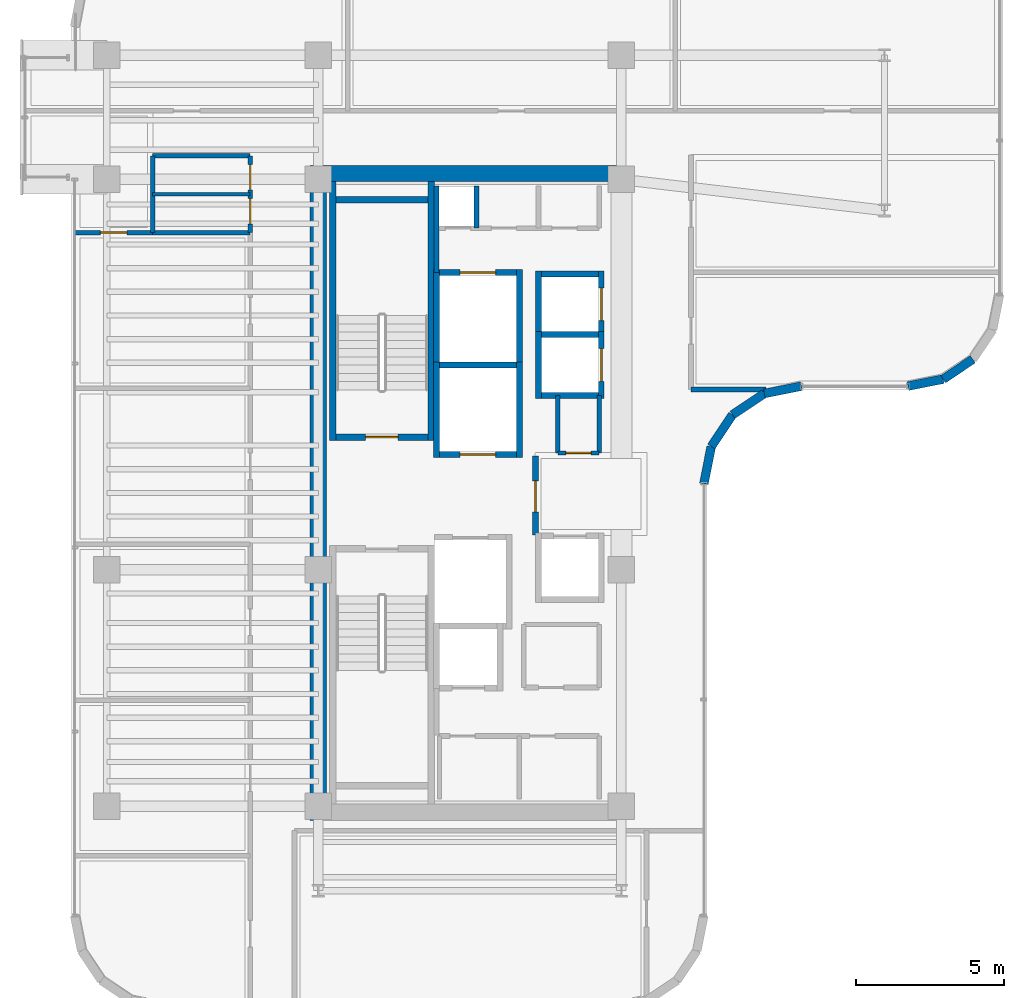
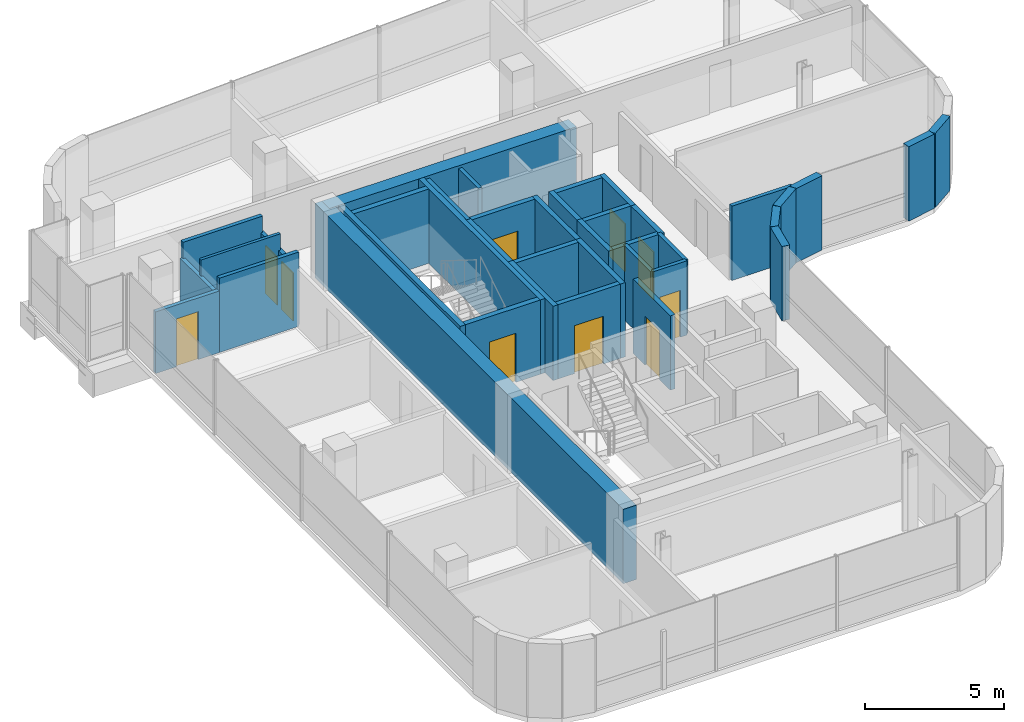
# One storey, part 18 of 21: 39 walls, 10 doors, 10 openings.
"""IFC4 building model written with IfcOpenShell, lengths in metres."""

from ifc_helpers import new_model, si_unit, direction, frame, frame_2d, origin, place, context, subcontext, project, spatial, rectangle, extrude, material, layer, layer_set, type_object, element, fill, save


model = new_model("IFC4")

# Units and contexts
model_context = context("Model", 3, precision=1e-05, world=origin(), true_north=direction((0.0, 1.0)))
body_context = subcontext(model_context, "Body", "Model", "MODEL_VIEW")
ifc_project = project(units=[si_unit("LENGTHUNIT", "METRE"), si_unit("AREAUNIT", "SQUARE_METRE"), si_unit("VOLUMEUNIT", "CUBIC_METRE"), si_unit("PLANEANGLEUNIT", "RADIAN"), si_unit("MASSUNIT", "GRAM", prefix="KILO")], contexts=[model_context])

# Site, building, storey
site_placement = place(None, origin())
site = spatial("IfcSite", under=ifc_project, at=site_placement, CompositionType="ELEMENT")
building_placement = place(site_placement, origin())
building = spatial("IfcBuilding", under=site, at=building_placement, Name="Valdorenza Pilgrim Sanctuary Tower", CompositionType="ELEMENT")
storey_placement = place(building_placement, frame((0.0, 0.0, 223.0)))
storey = spatial("IfcBuildingStorey", under=building, at=storey_placement, Name="L57", CompositionType="ELEMENT", Elevation=223.0)

# Walls
ifc_material_1 = material(Name="Acoustic twin-stud gypsum partition", Category="gypsum")
ifc_layer_1 = layer(ifc_material_1, 0.159912109375, Name="Acoustic twin-stud gypsum partition")
ifc_layer_set_1 = layer_set([ifc_layer_1], Name="Acoustic twin-stud gypsum partition")
wall_type_1 = type_object("IfcWallType", Name="WAL-COR-160", PredefinedType="PARTITIONING", material=ifc_layer_set_1)
wall_1_placement = place(storey_placement, frame((-18.64990234375, 7.449951171875, 0.0), z_axis=(0.0, 0.0, 1.0), x_axis=(0.0, 1.0, 0.0)))
element("IfcWall", 1, at=wall_1_placement, inside=storey, type_object=wall_type_1, Name="L57 Core A North Service West Wall", PredefinedType="PARTITIONING", context=body_context, shape_type="SweptSolid", body=[
    extrude(rectangle(XDim=2.929931640625, YDim=0.159912109375, at=frame_2d((1.46484375, 0.0))), origin(), (0.0, 0.0, 1.0), 3.260009765625),
])
wall_2_placement = place(storey_placement, frame((-17.300048828125, 8.949951171875, 0.0), z_axis=(0.0, 0.0, 1.0), x_axis=(0.0, 1.0, 0.0)))
element("IfcWall", 2, at=wall_2_placement, inside=storey, type_object=wall_type_1, Name="L57 Core Electrical Riser Wall", PredefinedType="PARTITIONING", context=body_context, shape_type="SweptSolid", body=[
    extrude(rectangle(XDim=1.429931640625, YDim=0.159912109375, at=frame_2d((0.71484375, 0.0))), origin(), (0.0, 0.0, 1.0), 3.260009765625),
])
wall_3_placement = place(storey_placement, frame((-13.14990234375, 1.35009765625, 0.0), z_axis=(0.0, 0.0, 1.0), x_axis=(0.0, 1.0, 0.0)))
element("IfcWall", 3, at=wall_3_placement, inside=storey, type_object=wall_type_1, Name="L57 Freed Shaft 6 East Wall", PredefinedType="PARTITIONING", context=body_context, shape_type="SweptSolid", body=[
    extrude(rectangle(XDim=1.949951171875, YDim=0.159912109375, at=frame_2d((0.97509765625, 0.0))), origin(), (0.0, 0.0, 1.0), 3.260009765625),
])
wall_4_placement = place(storey_placement, frame((-28.25, 8.800048828125, 0.0), z_axis=(0.0, 0.0, 1.0), x_axis=(0.0, 1.0, 0.0)))
element("IfcWall", 4, at=wall_4_placement, inside=storey, type_object=wall_type_1, Name="L57 Washroom West Wall", PredefinedType="PARTITIONING", context=body_context, shape_type="SweptSolid", body=[
    extrude(rectangle(XDim=2.599853515625, YDim=0.159912109375, at=frame_2d((1.2998046875, 0.0))), origin(), (0.0, 0.0, 1.0), 2.5439453125),
])

# Wall, openings, doors
wall_5_placement = place(storey_placement, frame((-24.949951171875, 8.800048828125, 0.0), z_axis=(0.0, 0.0, 1.0), x_axis=(0.0, 1.0, 0.0)))
wall_5 = element("IfcWall", 5, at=wall_5_placement, inside=storey, type_object=wall_type_1, Name="L57 Washroom East Wall", PredefinedType="PARTITIONING", context=body_context, shape_type="SweptSolid", body=[
    extrude(rectangle(XDim=2.599853515625, YDim=0.159912109375, at=frame_2d((1.2998046875, 0.0))), origin(), (0.0, 0.0, 1.0), 2.5439453125),
])
opening_1_placement = place(wall_5_placement, frame((0.300048828125, 0.0, 0.0)))
opening_1 = element("IfcOpeningElement", 6, at=opening_1_placement, cuts=wall_5, Name="Opening DR-WC1", PredefinedType="OPENING", context=body_context, shape_type="SweptSolid", body=[
    extrude(rectangle(XDim=0.85009765625, YDim=2.10009765625, at=frame_2d((0.425048828125, 1.050048828125))), frame((0.0, 0.0947265625, 0.0), z_axis=(0.0, -1.0, 0.0), x_axis=(1.0, 0.0, 0.0)), (0.0, 0.0, 1.0), 0.189697265625),
])
opening_2_placement = place(wall_5_placement, frame((1.449951171875, 0.0, 0.0)))
opening_2 = element("IfcOpeningElement", 7, at=opening_2_placement, cuts=wall_5, Name="Opening DR-WC1", PredefinedType="OPENING", context=body_context, shape_type="SweptSolid", body=[
    extrude(rectangle(XDim=0.85009765625, YDim=2.10009765625, at=frame_2d((0.425048828125, 1.050048828125))), frame((0.0, 0.0947265625, 0.0), z_axis=(0.0, -1.0, 0.0), x_axis=(1.0, 0.0, 0.0)), (0.0, 0.0, 1.0), 0.189697265625),
])
ifc_material_2 = material(Name="Moisture-resistant lacquered timber", Category="wood")
door_type_1 = type_object("IfcDoorType", Name="DR-BATH-850", OperationType="NOTDEFINED", PredefinedType="DOOR", material=ifc_material_2)
door_1_placement = place(opening_1_placement, origin())
door_1 = element("IfcDoor", 8, at=door_1_placement, inside=storey, type_object=door_type_1, Name="L57 Accessible Washroom Door", OperationType="SINGLE_SWING_RIGHT", OverallHeight=2.10009765625, OverallWidth=0.85009765625, PredefinedType="DOOR", context=body_context, shape_type="SweptSolid", body=[
    extrude(rectangle(XDim=0.85009765625, YDim=2.10009765625, at=frame_2d((0.425048828125, 1.050048828125))), frame((0.0, 0.02490234375, 0.0), z_axis=(0.0, -1.0, 0.0), x_axis=(1.0, 0.0, 0.0)), (0.0, 0.0, 1.0), 0.050048828125),
])
fill(opening_1, door_1)
door_2_placement = place(opening_2_placement, origin())
door_2 = element("IfcDoor", 9, at=door_2_placement, inside=storey, type_object=door_type_1, Name="L57 Public Washroom Door", OperationType="SINGLE_SWING_LEFT", OverallHeight=2.10009765625, OverallWidth=0.85009765625, PredefinedType="DOOR", context=body_context, shape_type="SweptSolid", body=[
    extrude(rectangle(XDim=0.85009765625, YDim=2.10009765625, at=frame_2d((0.425048828125, 1.050048828125))), frame((0.0, 0.02490234375, 0.0), z_axis=(0.0, -1.0, 0.0), x_axis=(1.0, 0.0, 0.0)), (0.0, 0.0, 1.0), 0.050048828125),
])
fill(opening_2, door_2)

# Walls
for number, where, z_axis, x_axis, name in (
    (10, (-28.25, 8.800048828125, 0.0), (0.0, 0.0, 1.0), (1.0, 0.0, 0.0), "L57 Washroom South Wall"),
    (11, (-28.25, 11.39990234375, 0.0), (0.0, 0.0, 1.0), (1.0, 0.0, 0.0), "L57 Washroom North Wall"),
):
    element("IfcWall", number, at=place(storey_placement, frame(where, z_axis=z_axis, x_axis=x_axis)), inside=storey, type_object=wall_type_1, Name=name, PredefinedType="PARTITIONING", context=body_context, shape_type="SweptSolid", body=[
        extrude(rectangle(XDim=3.300048828125, YDim=0.159912109375, at=frame_2d((1.64990234375, 0.0))), origin(), (0.0, 0.0, 1.0), 3.260009765625),
    ])

# Wall, opening, door
wall_6_placement = place(storey_placement, frame((-30.889892578125, 8.800048828125, 0.0), z_axis=(0.0, 0.0, 1.0), x_axis=(1.0, 0.0, 0.0)))
wall_6 = element("IfcWall", 12, at=wall_6_placement, inside=storey, type_object=wall_type_1, Name="L57 West North Alcove Wall", PredefinedType="PARTITIONING", context=body_context, shape_type="SweptSolid", body=[
    extrude(rectangle(XDim=2.639892578125, YDim=0.159912109375, at=frame_2d((1.31982421875, 0.0))), origin(), (0.0, 0.0, 1.0), 2.7060546875),
])
opening_3_placement = place(wall_6_placement, frame((0.8701171875, 0.0, 0.0)))
opening_3 = element("IfcOpeningElement", 13, at=opening_3_placement, cuts=wall_6, Name="Opening DR-RM1", PredefinedType="OPENING", context=body_context, shape_type="SweptSolid", body=[
    extrude(rectangle(XDim=0.89990234375, YDim=2.10009765625, at=frame_2d((0.449951171875, 1.050048828125))), frame((0.0, 0.0947265625, 0.0), z_axis=(0.0, -1.0, 0.0), x_axis=(1.0, 0.0, 0.0)), (0.0, 0.0, 1.0), 0.189697265625),
])
ifc_material_3 = material(Name="Solid-core European oak timber", Category="wood")
door_type_2 = type_object("IfcDoorType", Name="DR-ROOM-900", OperationType="NOTDEFINED", PredefinedType="DOOR", material=ifc_material_3)
door_3_placement = place(opening_3_placement, origin())
door_3 = element("IfcDoor", 14, at=door_3_placement, inside=storey, type_object=door_type_2, Name="L57 Pilgrim Scholar Office L57-WN Door", OperationType="SINGLE_SWING_RIGHT", OverallHeight=2.10009765625, OverallWidth=0.89990234375, PredefinedType="DOOR", context=body_context, shape_type="SweptSolid", body=[
    extrude(rectangle(XDim=0.89990234375, YDim=2.10009765625, at=frame_2d((0.449951171875, 1.050048828125))), frame((0.0, 0.02490234375, 0.0), z_axis=(0.0, -1.0, 0.0), x_axis=(1.0, 0.0, 0.0)), (0.0, 0.0, 1.0), 0.050048828125),
])
fill(opening_3, door_3)

# Walls
wall_7_placement = place(storey_placement, frame((-10.050048828125, 3.5, 0.0), z_axis=(0.0, 0.0, 1.0), x_axis=(1.0, 0.0, 0.0)))
element("IfcWall", 15, at=wall_7_placement, inside=storey, type_object=wall_type_1, Name="L57 East Stub South Wall", PredefinedType="PARTITIONING", context=body_context, shape_type="SweptSolid", body=[
    extrude(rectangle(XDim=2.545654296875, YDim=0.159912109375, at=frame_2d((1.27294921875, 0.0))), origin(), (0.0, 0.0, 1.0), 3.260009765625),
])
ifc_material_4 = material(Name="Concrete C50/60", Category="concrete")
ifc_layer_2 = layer(ifc_material_4, 0.550048828125, Name="Concrete C50/60")
ifc_layer_set_2 = layer_set([ifc_layer_2], Name="Concrete C50/60")
wall_type_2 = type_object("IfcWallType", Name="WAL-COR-550", PredefinedType="SHEAR", material=ifc_layer_set_2)
wall_8_placement = place(storey_placement, frame((-22.64990234375, -11.074951171875, 0.0), z_axis=(0.0, 0.0, 1.0), x_axis=(0.0, 1.0, 0.0)))
element("IfcWall", 16, at=wall_8_placement, inside=storey, type_object=wall_type_2, Name="L57 Split Core A Shear Wall W", PredefinedType="SHEAR", context=body_context, shape_type="SweptSolid", body=[
    extrude(rectangle(XDim=22.14990234375, YDim=0.550048828125, at=frame_2d((11.074951171875, 0.0))), origin(), (0.0, 0.0, 1.0), 3.260009765625),
])
wall_9_placement = place(storey_placement, frame((-22.64990234375, 10.800048828125, 0.0), z_axis=(0.0, 0.0, 1.0), x_axis=(1.0, 0.0, 0.0)))
element("IfcWall", 17, at=wall_9_placement, inside=storey, type_object=wall_type_2, Name="L57 Split Core A Shear Wall N", PredefinedType="SHEAR", context=body_context, shape_type="SweptSolid", body=[
    extrude(rectangle(XDim=10.25, YDim=0.550048828125, at=frame_2d((5.125, 0.0))), origin(), (0.0, 0.0, 1.0), 3.260009765625),
])
ifc_material_5 = material(Name="Honed travertine limestone", Category="masonry")
ifc_layer_3 = layer(ifc_material_5, 0.300048828125, Name="Honed travertine limestone")
ifc_layer_set_3 = layer_set([ifc_layer_3], Name="Honed travertine limestone")
wall_type_3 = type_object("IfcWallType", Name="WAL-EXT-300", PredefinedType="SOLIDWALL", material=ifc_layer_set_3)
wall_10_placement = place(storey_placement, frame((-0.5166015625, 4.5166015625, 0.0), z_axis=(0.0, 0.0, 1.0), x_axis=(-0.831426265255, -0.555635100982, 0.0)))
element("IfcWall", 18, at=wall_10_placement, inside=storey, type_object=wall_type_3, Name="L57 Rounded Wind-Corner Stone Pier 14", PredefinedType="SOLIDWALL", context=body_context, shape_type="SweptSolid", body=[
    extrude(rectangle(XDim=1.204833984375, YDim=0.300048828125, at=frame_2d((0.6025390625, 0.0))), origin(), (0.0, 0.0, 1.0), 3.260009765625),
])
wall_11_placement = place(storey_placement, frame((-1.518310546875, 3.84716796875, 0.0), z_axis=(0.0, 0.0, 1.0), x_axis=(-0.980804027463, -0.194996050505, 0.0)))
element("IfcWall", 19, at=wall_11_placement, inside=storey, type_object=wall_type_3, Name="L57 Rounded Wind-Corner Stone Pier 15", PredefinedType="SOLIDWALL", context=body_context, shape_type="SweptSolid", body=[
    extrude(rectangle(XDim=1.2158203125, YDim=0.300048828125, at=frame_2d((0.60791015625, 0.0))), origin(), (0.0, 0.0, 1.0), 3.260009765625),
])
wall_12_placement = place(storey_placement, frame((-6.310791015625, 3.610107421875, 0.0), z_axis=(0.0, 0.0, 1.0), x_axis=(-0.980778058848, -0.195126623715, 0.0)))
element("IfcWall", 20, at=wall_12_placement, inside=storey, type_object=wall_type_3, Name="L57 Rounded Wind-Corner Stone Pier 17", PredefinedType="SOLIDWALL", context=body_context, shape_type="SweptSolid", body=[
    extrude(rectangle(XDim=1.28125, YDim=0.300048828125, at=frame_2d((0.640625, 0.0))), origin(), (0.0, 0.0, 1.0), 3.260009765625),
])
for number, where, z_axis, x_axis, name in (
    (21, (-7.5673828125, 3.360107421875, 0.0), (0.0, 0.0, 1.0), (-0.831497739511, -0.555528135371, 0.0), "L57 Rounded Wind-Corner Stone Pier 18"),
    (22, (-8.64208984375, 2.64208984375, 0.0), (0.0, 0.0, 1.0), (-0.555528135371, -0.831497739511, 0.0), "L57 Rounded Wind-Corner Stone Pier 19"),
):
    element("IfcWall", number, at=place(storey_placement, frame(where, z_axis=z_axis, x_axis=x_axis)), inside=storey, type_object=wall_type_3, Name=name, PredefinedType="SOLIDWALL", context=body_context, shape_type="SweptSolid", body=[
        extrude(rectangle(XDim=1.29248046875, YDim=0.300048828125, at=frame_2d((0.646240234375, 0.0))), origin(), (0.0, 0.0, 1.0), 3.260009765625),
    ])
wall_13_placement = place(storey_placement, frame((-9.360107421875, 1.5673828125, 0.0), z_axis=(0.0, 0.0, 1.0), x_axis=(-0.195126623715, -0.980778058848, 0.0)))
element("IfcWall", 23, at=wall_13_placement, inside=storey, type_object=wall_type_3, Name="L57 Rounded Wind-Corner Stone Pier 20", PredefinedType="SOLIDWALL", context=body_context, shape_type="SweptSolid", body=[
    extrude(rectangle(XDim=1.28125, YDim=0.300048828125, at=frame_2d((0.640625, 0.0))), origin(), (0.0, 0.0, 1.0), 3.260009765625),
])

# Wall, opening, door
ifc_material_6 = material(Name="Gypsum shaftwall partition", Category="gypsum")
ifc_layer_4 = layer(ifc_material_6, 0.199951171875, Name="Gypsum shaftwall partition")
ifc_layer_set_4 = layer_set([ifc_layer_4], Name="Gypsum shaftwall partition")
wall_type_4 = type_object("IfcWallType", Name="WAL-FFL-200", PredefinedType="PARTITIONING", material=ifc_layer_set_4)
wall_14_placement = place(storey_placement, frame((-15.300048828125, -1.419921875, 0.0), z_axis=(0.0, 0.0, 1.0), x_axis=(0.0, 1.0, 0.0)))
wall_14 = element("IfcWall", 24, at=wall_14_placement, inside=storey, type_object=wall_type_4, Name="L57 Core A Firefighting Lobby East Wall", PredefinedType="PARTITIONING", context=body_context, shape_type="SweptSolid", body=[
    extrude(rectangle(XDim=2.669921875, YDim=0.199951171875, at=frame_2d((1.3349609375, 0.0))), origin(), (0.0, 0.0, 1.0), 3.260009765625),
])
opening_4_placement = place(wall_14_placement, frame((0.780029296875, 0.0, 0.0)))
opening_4 = element("IfcOpeningElement", 25, at=opening_4_placement, cuts=wall_14, Name="Opening DR-FL1", PredefinedType="OPENING", context=body_context, shape_type="SweptSolid", body=[
    extrude(rectangle(XDim=1.050048828125, YDim=2.14990234375, at=frame_2d((0.52490234375, 1.074951171875))), frame((0.0, 0.11474609375, 0.0), z_axis=(0.0, -1.0, 0.0), x_axis=(1.0, 0.0, 0.0)), (0.0, 0.0, 1.0), 0.229736328125),
])
ifc_material_7 = material(Name="Painted galvanized steel", Category="steel")
door_type_3 = type_object("IfcDoorType", Name="DR-FFL-1050", OperationType="NOTDEFINED", PredefinedType="DOOR", material=ifc_material_7)
door_4_placement = place(opening_4_placement, origin())
door_4 = element("IfcDoor", 26, at=door_4_placement, inside=storey, type_object=door_type_3, Name="L57 Core A Firefighting Lobby Door", OperationType="SINGLE_SWING_RIGHT", OverallHeight=2.14990234375, OverallWidth=1.050048828125, PredefinedType="DOOR", context=body_context, shape_type="SweptSolid", body=[
    extrude(rectangle(XDim=1.050048828125, YDim=2.14990234375, at=frame_2d((0.52490234375, 1.074951171875))), frame((0.0, 0.02490234375, 0.0), z_axis=(0.0, -1.0, 0.0), x_axis=(1.0, 0.0, 0.0)), (0.0, 0.0, 1.0), 0.050048828125),
])
fill(opening_4, door_4)

# Walls
ifc_material_8 = material(Name="Moisture-resistant gypsum partition", Category="gypsum")
ifc_layer_5 = layer(ifc_material_8, 0.1201171875, Name="Moisture-resistant gypsum partition")
ifc_layer_set_5 = layer_set([ifc_layer_5], Name="Moisture-resistant gypsum partition")
wall_type_5 = type_object("IfcWallType", Name="WAL-INT-120", PredefinedType="PARTITIONING", material=ifc_layer_set_5)
wall_15_placement = place(storey_placement, frame((-28.25, 10.10009765625, 0.0), z_axis=(0.0, 0.0, 1.0), x_axis=(1.0, 0.0, 0.0)))
element("IfcWall", 27, at=wall_15_placement, inside=storey, type_object=wall_type_5, Name="L57 Washroom Divider Wall", PredefinedType="PARTITIONING", context=body_context, shape_type="SweptSolid", body=[
    extrude(rectangle(XDim=3.300048828125, YDim=0.1201171875, at=frame_2d((1.64990234375, 0.0))), origin(), (0.0, 0.0, 1.0), 3.260009765625),
])
ifc_material_9 = material(Name="Autoclaved aerated concrete blockwork", Category="masonry")
ifc_layer_6 = layer(ifc_material_9, 0.199951171875, Name="Autoclaved aerated concrete blockwork")
ifc_layer_set_6 = layer_set([ifc_layer_6], Name="Autoclaved aerated concrete blockwork")
wall_type_6 = type_object("IfcWallType", Name="WAL-SHF-200", PredefinedType="MOVABLE", material=ifc_layer_set_6)
for number, where, z_axis, x_axis, name in (
    (28, (-18.64990234375, 1.199951171875, 0.0), (0.0, 0.0, 1.0), (0.0, 1.0, 0.0), "L57 Lift FFL-01 Hoistway Wall West"),
    (29, (-15.85009765625, 1.199951171875, 0.0), (0.0, 0.0, 1.0), (0.0, 1.0, 0.0), "L57 Lift FFL-01 Hoistway Wall East"),
):
    element("IfcWall", number, at=place(storey_placement, frame(where, z_axis=z_axis, x_axis=x_axis)), inside=storey, type_object=wall_type_6, Name=name, PredefinedType="MOVABLE", context=body_context, shape_type="SweptSolid", body=[
        extrude(rectangle(XDim=3.22509765625, YDim=0.199951171875, at=frame_2d((1.612548828125, 0.0))), origin(), (0.0, 0.0, 1.0), 3.260009765625),
    ])

# Wall, opening, door
wall_16_placement = place(storey_placement, frame((-18.550048828125, 1.300048828125, 0.0), z_axis=(0.0, 0.0, 1.0), x_axis=(1.0, 0.0, 0.0)))
wall_16 = element("IfcWall", 30, at=wall_16_placement, inside=storey, type_object=wall_type_6, Name="L57 Lift FFL-01 Hoistway Wall South", PredefinedType="MOVABLE", context=body_context, shape_type="SweptSolid", body=[
    extrude(rectangle(XDim=2.60009765625, YDim=0.199951171875, at=frame_2d((1.300048828125, 0.0))), origin(), (0.0, 0.0, 1.0), 3.260009765625),
])
opening_5_placement = place(wall_16_placement, frame((0.699951171875, 0.0, 0.0)))
opening_5 = element("IfcOpeningElement", 31, at=opening_5_placement, cuts=wall_16, Name="Opening LD-02", PredefinedType="OPENING", context=body_context, shape_type="SweptSolid", body=[
    extrude(rectangle(XDim=1.199951171875, YDim=2.10009765625, at=frame_2d((0.60009765625, 1.050048828125))), frame((0.0, 0.11474609375, 0.0), z_axis=(0.0, -1.0, 0.0), x_axis=(1.0, 0.0, 0.0)), (0.0, 0.0, 1.0), 0.229736328125),
])
ifc_material_10 = material(Name="Brushed stainless steel Grade 316", Category="steel")
door_type_4 = type_object("IfcDoorType", Name="DR-LFT-1200", OperationType="DOUBLE_DOOR_SLIDING", PredefinedType="DOOR", material=ifc_material_10)
door_5_placement = place(opening_5_placement, origin())
door_5 = element("IfcDoor", 32, at=door_5_placement, inside=storey, type_object=door_type_4, Name="L57 Lift FFL-01 Sliding Landing Door", OperationType="DOUBLE_DOOR_SLIDING", OverallHeight=2.10009765625, OverallWidth=1.199951171875, PredefinedType="DOOR", context=body_context, shape_type="SweptSolid", body=[
    extrude(rectangle(XDim=1.199951171875, YDim=2.10009765625, at=frame_2d((0.60009765625, 1.050048828125))), frame((0.0, 0.02490234375, 0.0), z_axis=(0.0, -1.0, 0.0), x_axis=(1.0, 0.0, 0.0)), (0.0, 0.0, 1.0), 0.050048828125),
])
fill(opening_5, door_5)

# Walls
wall_17_placement = place(storey_placement, frame((-18.550048828125, 4.324951171875, 0.0), z_axis=(0.0, 0.0, 1.0), x_axis=(1.0, 0.0, 0.0)))
element("IfcWall", 33, at=wall_17_placement, inside=storey, type_object=wall_type_6, Name="L57 Lift FFL-01 Hoistway Wall North", PredefinedType="MOVABLE", context=body_context, shape_type="SweptSolid", body=[
    extrude(rectangle(XDim=2.60009765625, YDim=0.199951171875, at=frame_2d((1.300048828125, 0.0))), origin(), (0.0, 0.0, 1.0), 3.260009765625),
])
for number, where, z_axis, x_axis, name in (
    (34, (-18.64990234375, 4.22509765625, 0.0), (0.0, 0.0, 1.0), (0.0, 1.0, 0.0), "L57 Lift SVL-01 Hoistway Wall West"),
    (35, (-15.85009765625, 4.22509765625, 0.0), (0.0, 0.0, 1.0), (0.0, 1.0, 0.0), "L57 Lift SVL-01 Hoistway Wall East"),
):
    element("IfcWall", number, at=place(storey_placement, frame(where, z_axis=z_axis, x_axis=x_axis)), inside=storey, type_object=wall_type_6, Name=name, PredefinedType="MOVABLE", context=body_context, shape_type="SweptSolid", body=[
        extrude(rectangle(XDim=3.324951171875, YDim=0.199951171875, at=frame_2d((1.66259765625, 0.0))), origin(), (0.0, 0.0, 1.0), 3.260009765625),
    ])

# Wall, opening, door
wall_18_placement = place(storey_placement, frame((-18.550048828125, 7.449951171875, 0.0), z_axis=(0.0, 0.0, 1.0), x_axis=(1.0, 0.0, 0.0)))
wall_18 = element("IfcWall", 36, at=wall_18_placement, inside=storey, type_object=wall_type_6, Name="L57 Lift SVL-01 Hoistway Wall North", PredefinedType="MOVABLE", context=body_context, shape_type="SweptSolid", body=[
    extrude(rectangle(XDim=2.60009765625, YDim=0.199951171875, at=frame_2d((1.300048828125, 0.0))), origin(), (0.0, 0.0, 1.0), 3.260009765625),
])
opening_6_placement = place(wall_18_placement, frame((0.699951171875, 0.0, 0.0)))
opening_6 = element("IfcOpeningElement", 37, at=opening_6_placement, cuts=wall_18, Name="Opening LD-02", PredefinedType="OPENING", context=body_context, shape_type="SweptSolid", body=[
    extrude(rectangle(XDim=1.199951171875, YDim=2.10009765625, at=frame_2d((0.60009765625, 1.050048828125))), frame((0.0, 0.11474609375, 0.0), z_axis=(0.0, -1.0, 0.0), x_axis=(1.0, 0.0, 0.0)), (0.0, 0.0, 1.0), 0.229736328125),
])
door_6_placement = place(opening_6_placement, origin())
door_6 = element("IfcDoor", 38, at=door_6_placement, inside=storey, type_object=door_type_4, Name="L57 Lift SVL-01 Sliding Landing Door", OperationType="DOUBLE_DOOR_SLIDING", OverallHeight=2.10009765625, OverallWidth=1.199951171875, PredefinedType="DOOR", context=body_context, shape_type="SweptSolid", body=[
    extrude(rectangle(XDim=1.199951171875, YDim=2.10009765625, at=frame_2d((0.60009765625, 1.050048828125))), frame((0.0, 0.02490234375, 0.0), z_axis=(0.0, -1.0, 0.0), x_axis=(1.0, 0.0, 0.0)), (0.0, 0.0, 1.0), 0.050048828125),
])
fill(opening_6, door_6)

# Wall
wall_19_placement = place(storey_placement, frame((-15.199951171875, 3.199951171875, 0.0), z_axis=(0.0, 0.0, 1.0), x_axis=(0.0, 1.0, 0.0)))
element("IfcWall", 39, at=wall_19_placement, inside=storey, type_object=wall_type_6, Name="L57 Lift PL-09 Hoistway Wall West", PredefinedType="MOVABLE", context=body_context, shape_type="SweptSolid", body=[
    extrude(rectangle(XDim=2.25, YDim=0.199951171875, at=frame_2d((1.125, 0.0))), origin(), (0.0, 0.0, 1.0), 3.260009765625),
])

# Wall, opening, door
wall_20_placement = place(storey_placement, frame((-13.080078125, 3.199951171875, 0.0), z_axis=(0.0, 0.0, 1.0), x_axis=(0.0, 1.0, 0.0)))
wall_20 = element("IfcWall", 40, at=wall_20_placement, inside=storey, type_object=wall_type_6, Name="L57 Lift PL-09 Hoistway Wall East", PredefinedType="MOVABLE", context=body_context, shape_type="SweptSolid", body=[
    extrude(rectangle(XDim=2.25, YDim=0.199951171875, at=frame_2d((1.125, 0.0))), origin(), (0.0, 0.0, 1.0), 3.260009765625),
])
opening_7_placement = place(wall_20_placement, frame((0.574951171875, 0.0, 0.0)))
opening_7 = element("IfcOpeningElement", 41, at=opening_7_placement, cuts=wall_20, Name="Opening LD-01", PredefinedType="OPENING", context=body_context, shape_type="SweptSolid", body=[
    extrude(rectangle(XDim=1.10009765625, YDim=2.10009765625, at=frame_2d((0.550048828125, 1.050048828125))), frame((0.0, 0.11474609375, 0.0), z_axis=(0.0, -1.0, 0.0), x_axis=(1.0, 0.0, 0.0)), (0.0, 0.0, 1.0), 0.229736328125),
])
door_type_5 = type_object("IfcDoorType", Name="DR-LFT-1100", OperationType="DOUBLE_DOOR_SLIDING", PredefinedType="DOOR", material=ifc_material_10)
door_7_placement = place(opening_7_placement, origin())
door_7 = element("IfcDoor", 42, at=door_7_placement, inside=storey, type_object=door_type_5, Name="L57 Lift PL-09 Sliding Landing Door", OperationType="DOUBLE_DOOR_SLIDING", OverallHeight=2.10009765625, OverallWidth=1.10009765625, PredefinedType="DOOR", context=body_context, shape_type="SweptSolid", body=[
    extrude(rectangle(XDim=1.10009765625, YDim=2.10009765625, at=frame_2d((0.550048828125, 1.050048828125))), frame((0.0, 0.02490234375, 0.0), z_axis=(0.0, -1.0, 0.0), x_axis=(1.0, 0.0, 0.0)), (0.0, 0.0, 1.0), 0.050048828125),
])
fill(opening_7, door_7)

# Walls
for number, where, z_axis, x_axis, name in (
    (43, (-15.10009765625, 3.300048828125, 0.0), (0.0, 0.0, 1.0), (1.0, 0.0, 0.0), "L57 Lift PL-09 Hoistway Wall South"),
    (44, (-15.10009765625, 5.35009765625, 0.0), (0.0, 0.0, 1.0), (1.0, 0.0, 0.0), "L57 Lift PL-09 Hoistway Wall North"),
):
    element("IfcWall", number, at=place(storey_placement, frame(where, z_axis=z_axis, x_axis=x_axis)), inside=storey, type_object=wall_type_6, Name=name, PredefinedType="MOVABLE", context=body_context, shape_type="SweptSolid", body=[
        extrude(rectangle(XDim=1.920166015625, YDim=0.199951171875, at=frame_2d((0.9599609375, 0.0))), origin(), (0.0, 0.0, 1.0), 3.260009765625),
    ])
wall_21_placement = place(storey_placement, frame((-15.199951171875, 5.25, 0.0), z_axis=(0.0, 0.0, 1.0), x_axis=(0.0, 1.0, 0.0)))
element("IfcWall", 45, at=wall_21_placement, inside=storey, type_object=wall_type_6, Name="L57 Lift PL-10 Hoistway Wall West", PredefinedType="MOVABLE", context=body_context, shape_type="SweptSolid", body=[
    extrude(rectangle(XDim=2.25, YDim=0.199951171875, at=frame_2d((1.125, 0.0))), origin(), (0.0, 0.0, 1.0), 3.260009765625),
])

# Wall, opening, door
wall_22_placement = place(storey_placement, frame((-13.080078125, 5.25, 0.0), z_axis=(0.0, 0.0, 1.0), x_axis=(0.0, 1.0, 0.0)))
wall_22 = element("IfcWall", 46, at=wall_22_placement, inside=storey, type_object=wall_type_6, Name="L57 Lift PL-10 Hoistway Wall East", PredefinedType="MOVABLE", context=body_context, shape_type="SweptSolid", body=[
    extrude(rectangle(XDim=2.25, YDim=0.199951171875, at=frame_2d((1.125, 0.0))), origin(), (0.0, 0.0, 1.0), 3.260009765625),
])
opening_8_placement = place(wall_22_placement, frame((0.574951171875, 0.0, 0.0)))
opening_8 = element("IfcOpeningElement", 47, at=opening_8_placement, cuts=wall_22, Name="Opening LD-01", PredefinedType="OPENING", context=body_context, shape_type="SweptSolid", body=[
    extrude(rectangle(XDim=1.10009765625, YDim=2.10009765625, at=frame_2d((0.550048828125, 1.050048828125))), frame((0.0, 0.11474609375, 0.0), z_axis=(0.0, -1.0, 0.0), x_axis=(1.0, 0.0, 0.0)), (0.0, 0.0, 1.0), 0.229736328125),
])
door_8_placement = place(opening_8_placement, origin())
door_8 = element("IfcDoor", 48, at=door_8_placement, inside=storey, type_object=door_type_5, Name="L57 Lift PL-10 Sliding Landing Door", OperationType="DOUBLE_DOOR_SLIDING", OverallHeight=2.10009765625, OverallWidth=1.10009765625, PredefinedType="DOOR", context=body_context, shape_type="SweptSolid", body=[
    extrude(rectangle(XDim=1.10009765625, YDim=2.10009765625, at=frame_2d((0.550048828125, 1.050048828125))), frame((0.0, 0.02490234375, 0.0), z_axis=(0.0, -1.0, 0.0), x_axis=(1.0, 0.0, 0.0)), (0.0, 0.0, 1.0), 0.050048828125),
])
fill(opening_8, door_8)

# Walls
wall_23_placement = place(storey_placement, frame((-15.10009765625, 7.39990234375, 0.0), z_axis=(0.0, 0.0, 1.0), x_axis=(1.0, 0.0, 0.0)))
element("IfcWall", 49, at=wall_23_placement, inside=storey, type_object=wall_type_6, Name="L57 Lift PL-10 Hoistway Wall North", PredefinedType="MOVABLE", context=body_context, shape_type="SweptSolid", body=[
    extrude(rectangle(XDim=1.920166015625, YDim=0.199951171875, at=frame_2d((0.9599609375, 0.0))), origin(), (0.0, 0.0, 1.0), 3.260009765625),
])
ifc_material_11 = material(Name="Concrete C40/50", Category="concrete")
ifc_layer_7 = layer(ifc_material_11, 0.219970703125, Name="Concrete C40/50")
ifc_layer_set_7 = layer_set([ifc_layer_7], Name="Concrete C40/50")
wall_type_7 = type_object("IfcWallType", Name="WAL-STR-SHF-220", PredefinedType="SHEAR", material=ifc_layer_set_7)
for number, where, z_axis, x_axis, name in (
    (50, (-22.159912109375, 1.780029296875, 0.0), (0.0, 0.0, 1.0), (0.0, 1.0, 0.0), "L57 ST-A1 Structural Stairwell Wall W"),
    (51, (-18.830078125, 1.780029296875, 0.0), (0.0, 0.0, 1.0), (0.0, 1.0, 0.0), "L57 ST-A1 Structural Stairwell Wall E"),
):
    element("IfcWall", number, at=place(storey_placement, frame(where, z_axis=z_axis, x_axis=x_axis)), inside=storey, type_object=wall_type_7, Name=name, PredefinedType="SHEAR", context=body_context, shape_type="SweptSolid", body=[
        extrude(rectangle(XDim=8.744873046875, YDim=0.219970703125, at=frame_2d((4.37255859375, 0.0))), origin(), (0.0, 0.0, 1.0), 3.260009765625),
    ])

# Wall, opening, door
wall_24_placement = place(storey_placement, frame((-22.050048828125, 1.889892578125, 0.0), z_axis=(0.0, 0.0, 1.0), x_axis=(1.0, 0.0, 0.0)))
wall_24 = element("IfcWall", 52, at=wall_24_placement, inside=storey, type_object=wall_type_7, Name="L57 ST-A1 Structural Stairwell Wall S", PredefinedType="SHEAR", context=body_context, shape_type="SweptSolid", body=[
    extrude(rectangle(XDim=3.110107421875, YDim=0.219970703125, at=frame_2d((1.55517578125, 0.0))), origin(), (0.0, 0.0, 1.0), 3.260009765625),
])
opening_9_placement = place(wall_24_placement, frame((1.0, 0.0, 0.0)))
opening_9 = element("IfcOpeningElement", 53, at=opening_9_placement, cuts=wall_24, Name="Opening DR-ST1", PredefinedType="OPENING", context=body_context, shape_type="SweptSolid", body=[
    extrude(rectangle(XDim=1.10009765625, YDim=2.14990234375, at=frame_2d((0.550048828125, 1.074951171875))), frame((0.0, 0.125, 0.0), z_axis=(0.0, -1.0, 0.0), x_axis=(1.0, 0.0, 0.0)), (0.0, 0.0, 1.0), 0.249755859375),
])
door_type_6 = type_object("IfcDoorType", Name="DR-STAIR-1100", OperationType="NOTDEFINED", PredefinedType="DOOR", material=ifc_material_7)
door_9_placement = place(opening_9_placement, frame((1.10009765625, 0.0, 0.0), z_axis=(0.0, 0.0, 1.0), x_axis=(-1.0, 0.0, 0.0)))
door_9 = element("IfcDoor", 54, at=door_9_placement, inside=storey, type_object=door_type_6, Name="L57 Exit Stair ST-A1 Door", OperationType="SINGLE_SWING_LEFT", OverallHeight=2.14990234375, OverallWidth=1.10009765625, PredefinedType="DOOR", context=body_context, shape_type="SweptSolid", body=[
    extrude(rectangle(XDim=1.10009765625, YDim=2.14990234375, at=frame_2d((0.550048828125, 1.074951171875))), frame((0.0, 0.02490234375, 0.0), z_axis=(0.0, -1.0, 0.0), x_axis=(1.0, 0.0, 0.0)), (0.0, 0.0, 1.0), 0.050048828125),
])
fill(opening_9, door_9)

# Walls
wall_25_placement = place(storey_placement, frame((-22.050048828125, 9.909912109375, 0.0), z_axis=(0.0, 0.0, 1.0), x_axis=(1.0, 0.0, 0.0)))
element("IfcWall", 55, at=wall_25_placement, inside=storey, type_object=wall_type_7, Name="L57 ST-A1 Structural Stairwell Wall N", PredefinedType="SHEAR", context=body_context, shape_type="SweptSolid", body=[
    extrude(rectangle(XDim=3.110107421875, YDim=0.219970703125, at=frame_2d((1.55517578125, 0.0))), origin(), (0.0, 0.0, 1.0), 3.260009765625),
])
ifc_layer_8 = layer(ifc_material_1, 0.14990234375, Name="Acoustic twin-stud gypsum partition")
ifc_layer_set_8 = layer_set([ifc_layer_8], Name="Acoustic twin-stud gypsum partition")
wall_type_8 = type_object("IfcWallType", Name="WAL-UNT-150", PredefinedType="PARTITIONING", material=ifc_layer_set_8)
wall_26_placement = place(storey_placement, frame((-14.550048828125, 1.35009765625, 0.0), z_axis=(0.0, 0.0, 1.0), x_axis=(0.0, 1.0, 0.0)))
element("IfcWall", 56, at=wall_26_placement, inside=storey, type_object=wall_type_8, Name="L57 Freed Shaft 6 West Wall", PredefinedType="PARTITIONING", context=body_context, shape_type="SweptSolid", body=[
    extrude(rectangle(XDim=1.949951171875, YDim=0.14990234375, at=frame_2d((0.97509765625, 0.0))), origin(), (0.0, 0.0, 1.0), 3.260009765625),
])

# Wall, opening, door
wall_27_placement = place(storey_placement, frame((-14.550048828125, 1.35009765625, 0.0), z_axis=(0.0, 0.0, 1.0), x_axis=(1.0, 0.0, 0.0)))
wall_27 = element("IfcWall", 57, at=wall_27_placement, inside=storey, type_object=wall_type_8, Name="L57 Freed Shaft 6 South Wall", PredefinedType="PARTITIONING", context=body_context, shape_type="SweptSolid", body=[
    extrude(rectangle(XDim=1.400146484375, YDim=0.14990234375, at=frame_2d((0.7001953125, 0.0))), origin(), (0.0, 0.0, 1.0), 3.260009765625),
])
opening_10_placement = place(wall_27_placement, frame((0.27490234375, 0.0, 0.0)))
opening_10 = element("IfcOpeningElement", 58, at=opening_10_placement, cuts=wall_27, Name="Opening DR-RS1", PredefinedType="OPENING", context=body_context, shape_type="SweptSolid", body=[
    extrude(rectangle(XDim=0.85009765625, YDim=2.050048828125, at=frame_2d((0.425048828125, 1.02490234375))), frame((0.0, 0.08984375, 0.0), z_axis=(0.0, -1.0, 0.0), x_axis=(1.0, 0.0, 0.0)), (0.0, 0.0, 1.0), 0.1796875),
])
door_type_7 = type_object("IfcDoorType", Name="DR-RSR-850", OperationType="NOTDEFINED", PredefinedType="DOOR", material=ifc_material_7)
door_10_placement = place(opening_10_placement, origin())
door_10 = element("IfcDoor", 59, at=door_10_placement, inside=storey, type_object=door_type_7, Name="L57 High-Rise Butler Pantry Door", OperationType="SINGLE_SWING_LEFT", OverallHeight=2.050048828125, OverallWidth=0.85009765625, PredefinedType="DOOR", context=body_context, shape_type="SweptSolid", body=[
    extrude(rectangle(XDim=0.85009765625, YDim=2.050048828125, at=frame_2d((0.425048828125, 1.02490234375))), frame((0.0, 0.02490234375, 0.0), z_axis=(0.0, -1.0, 0.0), x_axis=(1.0, 0.0, 0.0)), (0.0, 0.0, 1.0), 0.050048828125),
])
fill(opening_10, door_10)

save(model, "model.ifc")
